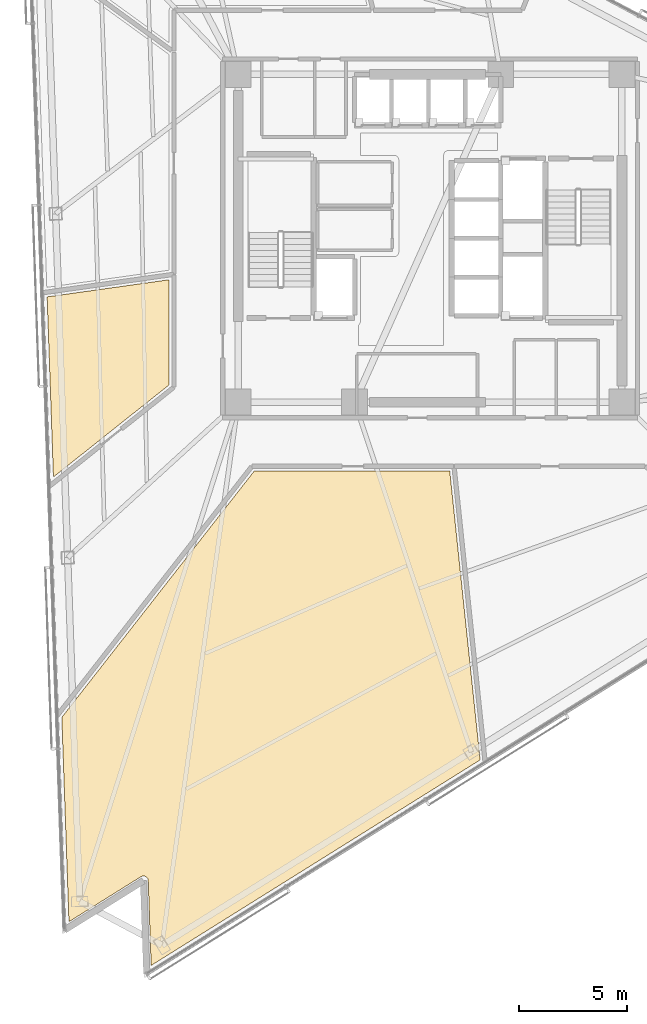
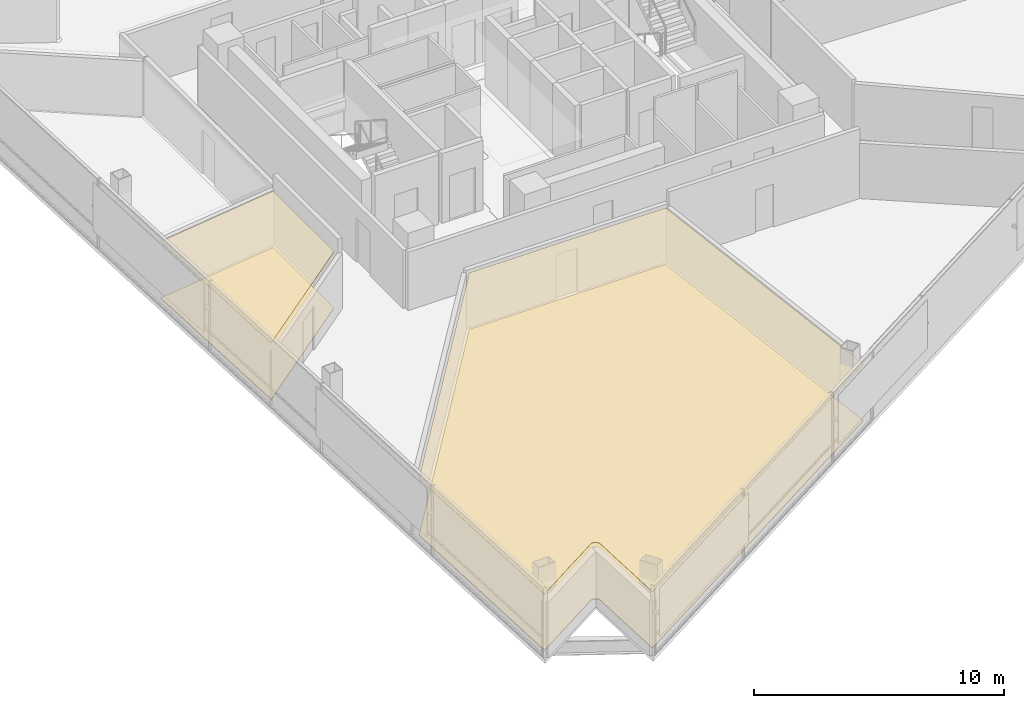
# One storey, part 17 of 20: 4 coverings.
"""IFC4 building model written with IfcOpenShell, lengths in metres."""

from ifc_helpers import new_model, si_unit, direction, frame, origin, place, context, subcontext, project, spatial, polyline, outline, extrude, material, layer, layer_set, type_object, element, save


model = new_model("IFC4")

# Units and contexts
model_context = context("Model", 3, precision=1e-05, world=origin(), true_north=direction((0.0, 1.0)))
body_context = subcontext(model_context, "Body", "Model", "MODEL_VIEW")
ifc_project = project(units=[si_unit("LENGTHUNIT", "METRE"), si_unit("AREAUNIT", "SQUARE_METRE"), si_unit("VOLUMEUNIT", "CUBIC_METRE"), si_unit("PLANEANGLEUNIT", "RADIAN"), si_unit("MASSUNIT", "GRAM", prefix="KILO")], contexts=[model_context])

# Site, building, storey
site_placement = place(None, origin())
site = spatial("IfcSite", under=ifc_project, at=site_placement, CompositionType="ELEMENT")
building_placement = place(site_placement, origin())
building = spatial("IfcBuilding", under=site, at=building_placement, Name="Tharavind Bronze Gate", CompositionType="ELEMENT")
storey_placement = place(building_placement, frame((0.0, 0.0, 146.0)))
storey = spatial("IfcBuildingStorey", under=building, at=storey_placement, Name="L37", CompositionType="ELEMENT", Elevation=146.0)

# Coverings
ifc_material_1 = material(Name="Perforated Bronze Acoustic Panel", Category="bronze")
ifc_layer_1 = layer(ifc_material_1, 0.044921875)
ifc_layer_set_1 = layer_set([ifc_layer_1], Name="Perforated Bronze Acoustic Panel")
covering_type_1 = type_object("IfcCoveringType", Name="ACOUSTIC BRONZE BAFFLE CEILING", PredefinedType="CEILING", material=ifc_layer_set_1)
covering_1_placement = place(storey_placement, frame((0.0, 0.0, 2.75)))
element("IfcCovering", 1, at=covering_1_placement, inside=storey, type_object=covering_type_1, Name="L37-RM-04 suspended ceiling", PredefinedType="CEILING", context=body_context, shape_type="SweptSolid", body=[
    extrude(outline(polyline([(-17.4716796875, -11.073486328125), (-12.10009765625, -6.79736328125), (-12.10009765625, -1.922607421875), (-17.763427734375, -2.718505859375), (-17.4716796875, -11.073486328125)])), origin(), (0.0, 0.0, 1.0), 0.034912109375),
])
ifc_material_2 = material(Name="Engineered Oak & Carpet Tile", Category="wood")
ifc_layer_2 = layer(ifc_material_2, 0.02490234375)
ifc_layer_set_2 = layer_set([ifc_layer_2], Name="Engineered Oak & Carpet Tile")
covering_type_2 = type_object("IfcCoveringType", Name="ENGINEERED TIMBER FLOORING", PredefinedType="FLOORING", material=ifc_layer_set_2)
covering_2_placement = place(storey_placement, origin())
element("IfcCovering", 2, at=covering_2_placement, inside=storey, type_object=covering_type_2, Name="L37-RM-04 floor finish", PredefinedType="FLOORING", context=body_context, shape_type="SweptSolid", body=[
    extrude(outline(polyline([(-17.4716796875, -11.073486328125), (-12.10009765625, -6.79736328125), (-12.10009765625, -1.922607421875), (-17.763427734375, -2.718505859375), (-17.4716796875, -11.073486328125)])), origin(), (0.0, 0.0, 1.0), 0.02490234375),
])
covering_3_placement = place(storey_placement, origin())
element("IfcCovering", 3, at=covering_3_placement, inside=storey, type_object=covering_type_2, Name="L37-RM-05 floor finish", PredefinedType="FLOORING", context=body_context, shape_type="SweptSolid", body=[
    extrude(outline(polyline([(-16.751220703125, -31.70361328125), (-13.411376953125, -29.61669921875), (-13.402099609375, -29.611083984375), (-13.401611328125, -29.61083984375), (-13.3818359375, -29.60107421875), (-13.361328125, -29.593505859375), (-13.340087890625, -29.587890625), (-13.318359375, -29.584228515625), (-13.29638671875, -29.5830078125), (-13.274658203125, -29.583740234375), (-13.2529296875, -29.5869140625), (-13.231689453125, -29.592041015625), (-13.2109375, -29.599365234375), (-13.19091796875, -29.608642578125), (-13.172119140625, -29.6201171875), (-13.154541015625, -29.633056640625), (-13.138427734375, -29.647705078125), (-13.123779296875, -29.6640625), (-13.110595703125, -29.681884765625), (-13.099609375, -29.70068359375), (-13.09033203125, -29.720458984375), (-13.083251953125, -29.7412109375), (-13.078125, -29.7626953125), (-13.0751953125, -29.7841796875), (-13.0751953125, -29.784912109375), (-13.074462890625, -29.7958984375), (-12.93701171875, -33.731689453125), (2.322021484375, -24.197021484375), (0.913818359375, -10.800048828125), (-8.15869140625, -10.800048828125), (-17.082275390625, -22.2216796875), (-16.751220703125, -31.70361328125)])), origin(), (0.0, 0.0, 1.0), 0.02490234375),
])
ifc_material_3 = material(Name="Acoustic Gypsum Board", Category="gypsum")
ifc_layer_3 = layer(ifc_material_3, 0.030029296875)
ifc_layer_set_3 = layer_set([ifc_layer_3], Name="Acoustic Gypsum Board")
covering_type_3 = type_object("IfcCoveringType", Name="GYPSUM SUSPENDED CEILING", PredefinedType="CEILING", material=ifc_layer_set_3)
covering_4_placement = place(storey_placement, frame((0.0, 0.0, 2.75)))
element("IfcCovering", 4, at=covering_4_placement, inside=storey, type_object=covering_type_3, Name="L37-RM-05 suspended ceiling", PredefinedType="CEILING", context=body_context, shape_type="SweptSolid", body=[
    extrude(outline(polyline([(-16.751220703125, -31.70361328125), (-13.411376953125, -29.61669921875), (-13.402099609375, -29.611083984375), (-13.401611328125, -29.61083984375), (-13.3818359375, -29.60107421875), (-13.361328125, -29.593505859375), (-13.340087890625, -29.587890625), (-13.318359375, -29.584228515625), (-13.29638671875, -29.5830078125), (-13.274658203125, -29.583740234375), (-13.2529296875, -29.5869140625), (-13.231689453125, -29.592041015625), (-13.2109375, -29.599365234375), (-13.19091796875, -29.608642578125), (-13.172119140625, -29.6201171875), (-13.154541015625, -29.633056640625), (-13.138427734375, -29.647705078125), (-13.123779296875, -29.6640625), (-13.110595703125, -29.681884765625), (-13.099609375, -29.70068359375), (-13.09033203125, -29.720458984375), (-13.083251953125, -29.7412109375), (-13.078125, -29.7626953125), (-13.0751953125, -29.7841796875), (-13.0751953125, -29.784912109375), (-13.074462890625, -29.7958984375), (-12.93701171875, -33.731689453125), (2.322021484375, -24.197021484375), (0.913818359375, -10.800048828125), (-8.15869140625, -10.800048828125), (-17.082275390625, -22.2216796875), (-16.751220703125, -31.70361328125)])), origin(), (0.0, 0.0, 1.0), 0.034912109375),
])

save(model, "model.ifc")
